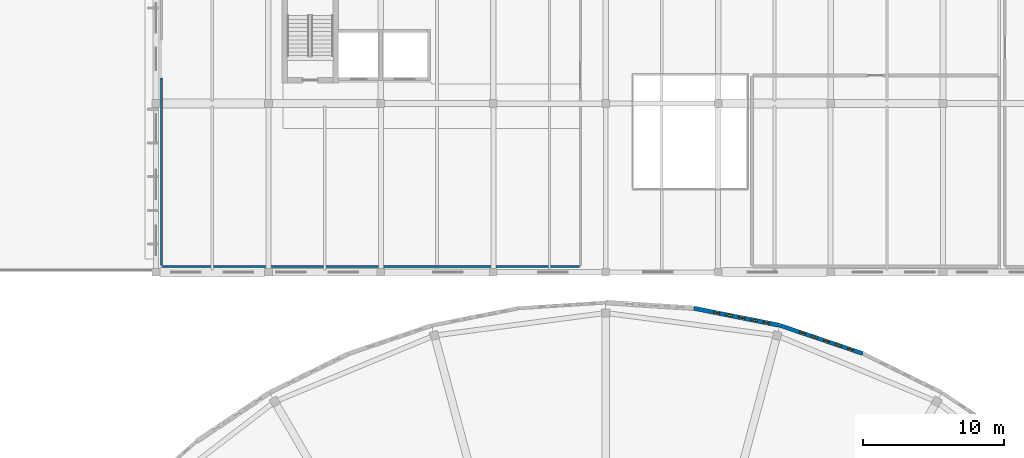
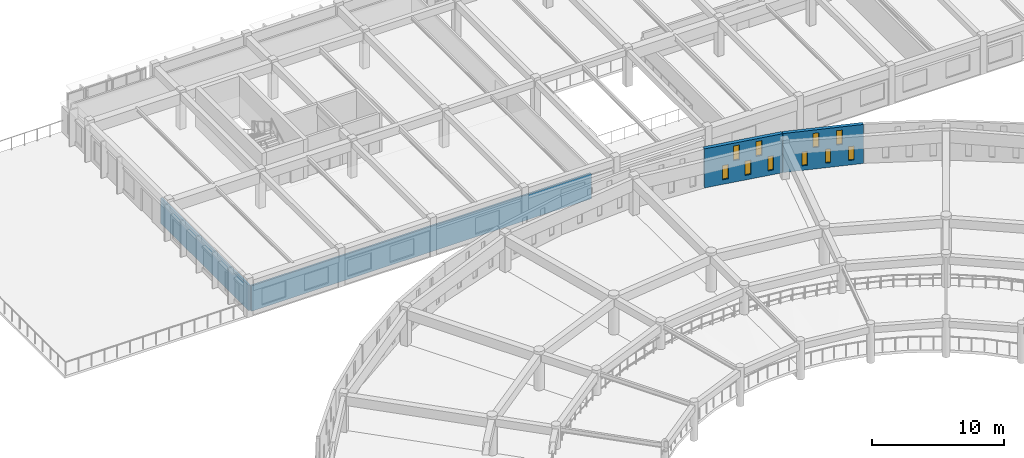
# One storey, part 116 of 155: 10 windows, 4 walls, 10 openings.
"""IFC4 building model written with IfcOpenShell, lengths in metres."""

from ifc_helpers import new_model, si_unit, direction, frame, frame_2d, origin, place, context, subcontext, project, spatial, rectangle, extrude, material, layer, layer_set, type_object, element, fill, save


model = new_model("IFC4")

# Units and contexts
model_context = context("Model", 3, precision=1e-05, world=origin(), true_north=direction((0.0, 1.0)))
body_context = subcontext(model_context, "Body", "Model", "MODEL_VIEW")
ifc_project = project(units=[si_unit("LENGTHUNIT", "METRE"), si_unit("AREAUNIT", "SQUARE_METRE"), si_unit("VOLUMEUNIT", "CUBIC_METRE"), si_unit("PLANEANGLEUNIT", "RADIAN"), si_unit("MASSUNIT", "GRAM", prefix="KILO")], contexts=[model_context])

# Site, building, storey
site_placement = place(None, origin())
site = spatial("IfcSite", under=ifc_project, at=site_placement, CompositionType="ELEMENT")
building_placement = place(site_placement, origin())
building = spatial("IfcBuilding", under=site, at=building_placement, Name="Larkveld Mobility Hub", CompositionType="ELEMENT")
storey_placement = place(building_placement, frame((0.0, 0.0, 8.39990234375)))
storey = spatial("IfcBuildingStorey", under=building, at=storey_placement, Name="L02", CompositionType="ELEMENT", Elevation=8.39990234375)

# Wall, openings, windows
ifc_material_1 = material(Name="Fired clay brick 25 MPa", Category="masonry")
ifc_layer_1 = layer(ifc_material_1, 0.2900390625, Name="Fired clay brick 25 MPa", Category="masonry")
ifc_layer_set_1 = layer_set([ifc_layer_1], Name="Fired clay brick 25 MPa")
wall_type_1 = type_object("IfcWallType", Name="WL-BRK-290", PredefinedType="USERDEFINED", material=ifc_layer_set_1)
wall_1_placement = place(storey_placement, frame((66.2880859375, 92.216064453125, 0.0), z_axis=(0.0, 0.0, 1.0), x_axis=(-0.946955417172, 0.321364960579, 0.0)))
wall_1 = element("IfcWall", 1, at=wall_1_placement, inside=storey, type_object=wall_type_1, Name="Drum Woven Open-Bond Brick Chord L02-0100", ObjectType="PERFORATED BRICK SCREEN", PredefinedType="USERDEFINED", context=body_context, shape_type="SweptSolid", body=[
    extrude(rectangle(XDim=6.21044921875, YDim=0.2900390625, at=frame_2d((3.105224609375, 0.0))), origin(), (0.0, 0.0, 1.0), 3.60009765625),
])
opening_1_placement = place(wall_1_placement, frame((0.719970703125, 0.0, 0.419921875)))
opening_1 = element("IfcOpeningElement", 2, at=opening_1_placement, cuts=wall_1, Name="Opening W01", PredefinedType="OPENING", context=body_context, shape_type="SweptSolid", body=[
    extrude(rectangle(XDim=0.419921875, YDim=1.280029296875, at=frame_2d((0.2099609375, 0.64013671875))), frame((0.0, 0.155029296875, 0.0), z_axis=(0.0, -1.0, 0.0), x_axis=(1.0, 0.0, 0.0)), (0.0, 0.0, 1.0), 0.31005859375),
])
opening_2_placement = place(wall_1_placement, frame((2.52001953125, 0.0, 0.419921875)))
opening_2 = element("IfcOpeningElement", 3, at=opening_2_placement, cuts=wall_1, Name="Opening W01", PredefinedType="OPENING", context=body_context, shape_type="SweptSolid", body=[
    extrude(rectangle(XDim=0.419921875, YDim=1.280029296875, at=frame_2d((0.2099609375, 0.64013671875))), frame((0.0, 0.155029296875, 0.0), z_axis=(0.0, -1.0, 0.0), x_axis=(1.0, 0.0, 0.0)), (0.0, 0.0, 1.0), 0.31005859375),
])
opening_3_placement = place(wall_1_placement, frame((4.320068359375, 0.0, 0.419921875)))
opening_3 = element("IfcOpeningElement", 4, at=opening_3_placement, cuts=wall_1, Name="Opening W01", PredefinedType="OPENING", context=body_context, shape_type="SweptSolid", body=[
    extrude(rectangle(XDim=0.419921875, YDim=1.280029296875, at=frame_2d((0.2099609375, 0.64013671875))), frame((0.0, 0.155029296875, 0.0), z_axis=(0.0, -1.0, 0.0), x_axis=(1.0, 0.0, 0.0)), (0.0, 0.0, 1.0), 0.31005859375),
])
opening_4_placement = place(wall_1_placement, frame((1.6201171875, 0.0, 1.97998046875)))
opening_4 = element("IfcOpeningElement", 5, at=opening_4_placement, cuts=wall_1, Name="Opening W02", PredefinedType="OPENING", context=body_context, shape_type="SweptSolid", body=[
    extrude(rectangle(XDim=0.449951171875, YDim=1.320068359375, at=frame_2d((0.22509765625, 0.66015625))), frame((0.0, 0.155029296875, 0.0), z_axis=(0.0, -1.0, 0.0), x_axis=(1.0, 0.0, 0.0)), (0.0, 0.0, 1.0), 0.31005859375),
])
opening_5_placement = place(wall_1_placement, frame((3.419921875, 0.0, 1.97998046875)))
opening_5 = element("IfcOpeningElement", 6, at=opening_5_placement, cuts=wall_1, Name="Opening W02", PredefinedType="OPENING", context=body_context, shape_type="SweptSolid", body=[
    extrude(rectangle(XDim=0.449951171875, YDim=1.320068359375, at=frame_2d((0.22509765625, 0.66015625))), frame((0.0, 0.155029296875, 0.0), z_axis=(0.0, -1.0, 0.0), x_axis=(1.0, 0.0, 0.0)), (0.0, 0.0, 1.0), 0.31005859375),
])
ifc_material_2 = material(Name="Extruded aluminium ventilation grille", Category="aluminium")
window_type_1 = type_object("IfcWindowType", Name="WN-VENT-01", PartitioningType="SINGLE_PANEL", PredefinedType="WINDOW", material=ifc_material_2)
window_1_placement = place(opening_1_placement, origin())
window_1 = element("IfcWindow", 7, at=window_1_placement, inside=storey, type_object=window_type_1, Name="Window W01 (0486)", OverallHeight=1.280029296875, OverallWidth=0.419921875, PartitioningType="SINGLE_PANEL", PredefinedType="WINDOW", context=body_context, shape_type="SweptSolid", body=[
    extrude(rectangle(XDim=0.419921875, YDim=1.280029296875, at=frame_2d((0.2099609375, 0.64013671875))), frame((0.0, 0.030029296875, 0.0), z_axis=(0.0, -1.0, 0.0), x_axis=(1.0, 0.0, 0.0)), (0.0, 0.0, 1.0), 0.06005859375),
])
fill(opening_1, window_1)
window_2_placement = place(opening_2_placement, origin())
window_2 = element("IfcWindow", 8, at=window_2_placement, inside=storey, type_object=window_type_1, Name="Window W01 (0487)", OverallHeight=1.280029296875, OverallWidth=0.419921875, PartitioningType="SINGLE_PANEL", PredefinedType="WINDOW", context=body_context, shape_type="SweptSolid", body=[
    extrude(rectangle(XDim=0.419921875, YDim=1.280029296875, at=frame_2d((0.2099609375, 0.64013671875))), frame((0.0, 0.030029296875, 0.0), z_axis=(0.0, -1.0, 0.0), x_axis=(1.0, 0.0, 0.0)), (0.0, 0.0, 1.0), 0.06005859375),
])
fill(opening_2, window_2)
window_3_placement = place(opening_3_placement, origin())
window_3 = element("IfcWindow", 9, at=window_3_placement, inside=storey, type_object=window_type_1, Name="Window W01 (0488)", OverallHeight=1.280029296875, OverallWidth=0.419921875, PartitioningType="SINGLE_PANEL", PredefinedType="WINDOW", context=body_context, shape_type="SweptSolid", body=[
    extrude(rectangle(XDim=0.419921875, YDim=1.280029296875, at=frame_2d((0.2099609375, 0.64013671875))), frame((0.0, 0.030029296875, 0.0), z_axis=(0.0, -1.0, 0.0), x_axis=(1.0, 0.0, 0.0)), (0.0, 0.0, 1.0), 0.06005859375),
])
fill(opening_3, window_3)
window_type_2 = type_object("IfcWindowType", Name="WN-VENT-02", PartitioningType="SINGLE_PANEL", PredefinedType="WINDOW", material=ifc_material_2)
window_4_placement = place(opening_4_placement, origin())
window_4 = element("IfcWindow", 10, at=window_4_placement, inside=storey, type_object=window_type_2, Name="Window W02 (0489)", OverallHeight=1.320068359375, OverallWidth=0.449951171875, PartitioningType="SINGLE_PANEL", PredefinedType="WINDOW", context=body_context, shape_type="SweptSolid", body=[
    extrude(rectangle(XDim=0.449951171875, YDim=1.320068359375, at=frame_2d((0.22509765625, 0.66015625))), frame((0.0, 0.030029296875, 0.0), z_axis=(0.0, -1.0, 0.0), x_axis=(1.0, 0.0, 0.0)), (0.0, 0.0, 1.0), 0.06005859375),
])
fill(opening_4, window_4)
window_5_placement = place(opening_5_placement, origin())
window_5 = element("IfcWindow", 11, at=window_5_placement, inside=storey, type_object=window_type_2, Name="Window W02 (0490)", OverallHeight=1.320068359375, OverallWidth=0.449951171875, PartitioningType="SINGLE_PANEL", PredefinedType="WINDOW", context=body_context, shape_type="SweptSolid", body=[
    extrude(rectangle(XDim=0.449951171875, YDim=1.320068359375, at=frame_2d((0.22509765625, 0.66015625))), frame((0.0, 0.030029296875, 0.0), z_axis=(0.0, -1.0, 0.0), x_axis=(1.0, 0.0, 0.0)), (0.0, 0.0, 1.0), 0.06005859375),
])
fill(opening_5, window_5)

ifc_layer_2 = layer(ifc_material_1, 0.31005859375, Name="Fired clay brick 25 MPa", Category="masonry")
ifc_layer_set_2 = layer_set([ifc_layer_2], Name="Fired clay brick 25 MPa")
wall_type_2 = type_object("IfcWallType", Name="WL-BRK-310", PredefinedType="USERDEFINED", material=ifc_layer_set_2)
wall_2_placement = place(storey_placement, frame((60.360107421875, 94.22509765625, 0.0), z_axis=(0.0, 0.0, 1.0), x_axis=(-0.980799338869, 0.195019632022, 0.0)))
wall_2 = element("IfcWall", 12, at=wall_2_placement, inside=storey, type_object=wall_type_2, Name="Drum Woven Open-Bond Brick Chord L02-0101", ObjectType="PERFORATED BRICK SCREEN", PredefinedType="USERDEFINED", context=body_context, shape_type="SweptSolid", body=[
    extrude(rectangle(XDim=6.209228515625, YDim=0.31005859375, at=frame_2d((3.1044921875, 0.0))), origin(), (0.0, 0.0, 1.0), 3.60009765625),
])
opening_6_placement = place(wall_2_placement, frame((0.719970703125, 0.0, 0.419921875)))
opening_6 = element("IfcOpeningElement", 13, at=opening_6_placement, cuts=wall_2, Name="Opening W02", PredefinedType="OPENING", context=body_context, shape_type="SweptSolid", body=[
    extrude(rectangle(XDim=0.449951171875, YDim=1.320068359375, at=frame_2d((0.22509765625, 0.66015625))), frame((0.0, 0.1650390625, 0.0), z_axis=(0.0, -1.0, 0.0), x_axis=(1.0, 0.0, 0.0)), (0.0, 0.0, 1.0), 0.330078125),
])
opening_7_placement = place(wall_2_placement, frame((2.52001953125, 0.0, 0.419921875)))
opening_7 = element("IfcOpeningElement", 14, at=opening_7_placement, cuts=wall_2, Name="Opening W02", PredefinedType="OPENING", context=body_context, shape_type="SweptSolid", body=[
    extrude(rectangle(XDim=0.449951171875, YDim=1.320068359375, at=frame_2d((0.22509765625, 0.66015625))), frame((0.0, 0.1650390625, 0.0), z_axis=(0.0, -1.0, 0.0), x_axis=(1.0, 0.0, 0.0)), (0.0, 0.0, 1.0), 0.330078125),
])
opening_8_placement = place(wall_2_placement, frame((4.320068359375, 0.0, 0.419921875)))
opening_8 = element("IfcOpeningElement", 15, at=opening_8_placement, cuts=wall_2, Name="Opening W02", PredefinedType="OPENING", context=body_context, shape_type="SweptSolid", body=[
    extrude(rectangle(XDim=0.449951171875, YDim=1.320068359375, at=frame_2d((0.22509765625, 0.66015625))), frame((0.0, 0.1650390625, 0.0), z_axis=(0.0, -1.0, 0.0), x_axis=(1.0, 0.0, 0.0)), (0.0, 0.0, 1.0), 0.330078125),
])
opening_9_placement = place(wall_2_placement, frame((1.6201171875, 0.0, 1.97998046875)))
opening_9 = element("IfcOpeningElement", 16, at=opening_9_placement, cuts=wall_2, Name="Opening W03", PredefinedType="OPENING", context=body_context, shape_type="SweptSolid", body=[
    extrude(rectangle(XDim=0.47998046875, YDim=1.360107421875, at=frame_2d((0.239990234375, 0.68017578125))), frame((0.0, 0.1650390625, 0.0), z_axis=(0.0, -1.0, 0.0), x_axis=(1.0, 0.0, 0.0)), (0.0, 0.0, 1.0), 0.330078125),
])
opening_10_placement = place(wall_2_placement, frame((3.419921875, 0.0, 1.97998046875)))
opening_10 = element("IfcOpeningElement", 17, at=opening_10_placement, cuts=wall_2, Name="Opening W03", PredefinedType="OPENING", context=body_context, shape_type="SweptSolid", body=[
    extrude(rectangle(XDim=0.47998046875, YDim=1.360107421875, at=frame_2d((0.239990234375, 0.68017578125))), frame((0.0, 0.1650390625, 0.0), z_axis=(0.0, -1.0, 0.0), x_axis=(1.0, 0.0, 0.0)), (0.0, 0.0, 1.0), 0.330078125),
])
window_6_placement = place(opening_6_placement, origin())
window_6 = element("IfcWindow", 18, at=window_6_placement, inside=storey, type_object=window_type_2, Name="Window W02 (0491)", OverallHeight=1.320068359375, OverallWidth=0.449951171875, PartitioningType="SINGLE_PANEL", PredefinedType="WINDOW", context=body_context, shape_type="SweptSolid", body=[
    extrude(rectangle(XDim=0.449951171875, YDim=1.320068359375, at=frame_2d((0.22509765625, 0.66015625))), frame((0.0, 0.030029296875, 0.0), z_axis=(0.0, -1.0, 0.0), x_axis=(1.0, 0.0, 0.0)), (0.0, 0.0, 1.0), 0.06005859375),
])
fill(opening_6, window_6)
window_7_placement = place(opening_7_placement, origin())
window_7 = element("IfcWindow", 19, at=window_7_placement, inside=storey, type_object=window_type_2, Name="Window W02 (0492)", OverallHeight=1.320068359375, OverallWidth=0.449951171875, PartitioningType="SINGLE_PANEL", PredefinedType="WINDOW", context=body_context, shape_type="SweptSolid", body=[
    extrude(rectangle(XDim=0.449951171875, YDim=1.320068359375, at=frame_2d((0.22509765625, 0.66015625))), frame((0.0, 0.030029296875, 0.0), z_axis=(0.0, -1.0, 0.0), x_axis=(1.0, 0.0, 0.0)), (0.0, 0.0, 1.0), 0.06005859375),
])
fill(opening_7, window_7)
window_8_placement = place(opening_8_placement, origin())
window_8 = element("IfcWindow", 20, at=window_8_placement, inside=storey, type_object=window_type_2, Name="Window W02 (0493)", OverallHeight=1.320068359375, OverallWidth=0.449951171875, PartitioningType="SINGLE_PANEL", PredefinedType="WINDOW", context=body_context, shape_type="SweptSolid", body=[
    extrude(rectangle(XDim=0.449951171875, YDim=1.320068359375, at=frame_2d((0.22509765625, 0.66015625))), frame((0.0, 0.030029296875, 0.0), z_axis=(0.0, -1.0, 0.0), x_axis=(1.0, 0.0, 0.0)), (0.0, 0.0, 1.0), 0.06005859375),
])
fill(opening_8, window_8)
window_type_3 = type_object("IfcWindowType", Name="WN-VENT-03", PartitioningType="SINGLE_PANEL", PredefinedType="WINDOW", material=ifc_material_2)
window_9_placement = place(opening_9_placement, origin())
window_9 = element("IfcWindow", 21, at=window_9_placement, inside=storey, type_object=window_type_3, Name="Window W03 (0494)", OverallHeight=1.360107421875, OverallWidth=0.47998046875, PartitioningType="SINGLE_PANEL", PredefinedType="WINDOW", context=body_context, shape_type="SweptSolid", body=[
    extrude(rectangle(XDim=0.47998046875, YDim=1.360107421875, at=frame_2d((0.239990234375, 0.68017578125))), frame((0.0, 0.030029296875, 0.0), z_axis=(0.0, -1.0, 0.0), x_axis=(1.0, 0.0, 0.0)), (0.0, 0.0, 1.0), 0.06005859375),
])
fill(opening_9, window_9)
window_10_placement = place(opening_10_placement, origin())
window_10 = element("IfcWindow", 22, at=window_10_placement, inside=storey, type_object=window_type_3, Name="Window W03 (0495)", OverallHeight=1.360107421875, OverallWidth=0.47998046875, PartitioningType="SINGLE_PANEL", PredefinedType="WINDOW", context=body_context, shape_type="SweptSolid", body=[
    extrude(rectangle(XDim=0.47998046875, YDim=1.360107421875, at=frame_2d((0.239990234375, 0.68017578125))), frame((0.0, 0.030029296875, 0.0), z_axis=(0.0, -1.0, 0.0), x_axis=(1.0, 0.0, 0.0)), (0.0, 0.0, 1.0), 0.06005859375),
])
fill(opening_10, window_10)

# Walls
ifc_material_3 = material(Name="Concrete blockwork masonry 14 MPa", Category="masonry")
ifc_layer_3 = layer(ifc_material_3, 0.14990234375, Name="Concrete blockwork masonry 14 MPa", Category="masonry")
ifc_layer_set_3 = layer_set([ifc_layer_3], Name="Concrete blockwork masonry 14 MPa")
wall_type_3 = type_object("IfcWallType", Name="WL-PRT-150", PredefinedType="PARTITIONING", material=ifc_layer_set_3)
wall_3_placement = place(storey_placement, frame((16.47998046875, 98.403076171875, 0.0), z_axis=(0.0, 0.0, 1.0), x_axis=(1.0, 0.0, 0.0)))
element("IfcWall", 23, at=wall_3_placement, inside=storey, type_object=wall_type_3, Name="Safe Cycling Training Studio and Clubroom Partition 0130", PredefinedType="PARTITIONING", context=body_context, shape_type="SweptSolid", body=[
    extrude(rectangle(XDim=29.636962890625, YDim=0.14990234375, at=frame_2d((14.818359375, 0.0))), origin(), (0.0, 0.0, 1.0), 2.34521484375),
])
wall_4_placement = place(storey_placement, frame((16.39990234375, 98.48291015625, 0.0), z_axis=(0.0, 0.0, 1.0), x_axis=(0.0, 1.0, 0.0)))
element("IfcWall", 24, at=wall_4_placement, inside=storey, type_object=wall_type_3, Name="Safe Cycling Training Studio and Clubroom Partition 0132", PredefinedType="PARTITIONING", context=body_context, shape_type="SweptSolid", body=[
    extrude(rectangle(XDim=13.323974609375, YDim=0.14990234375, at=frame_2d((6.662109375, 0.0))), origin(), (0.0, 0.0, 1.0), 2.34521484375),
])

save(model, "model.ifc")
